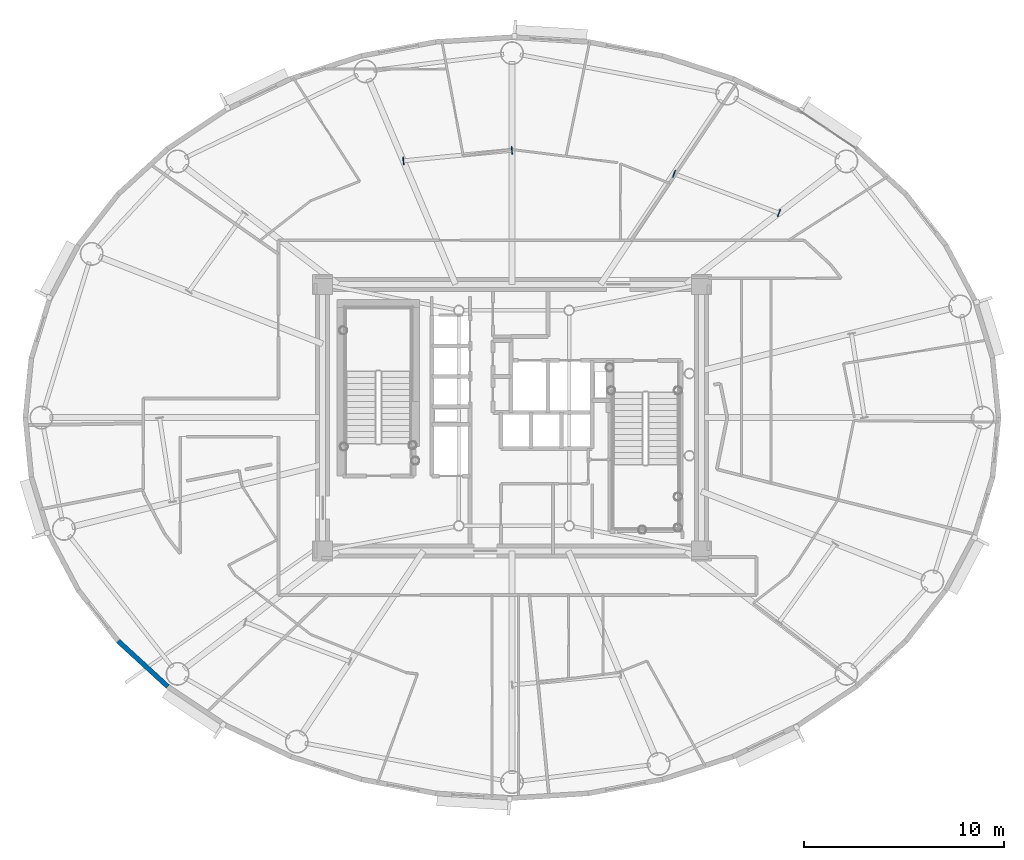
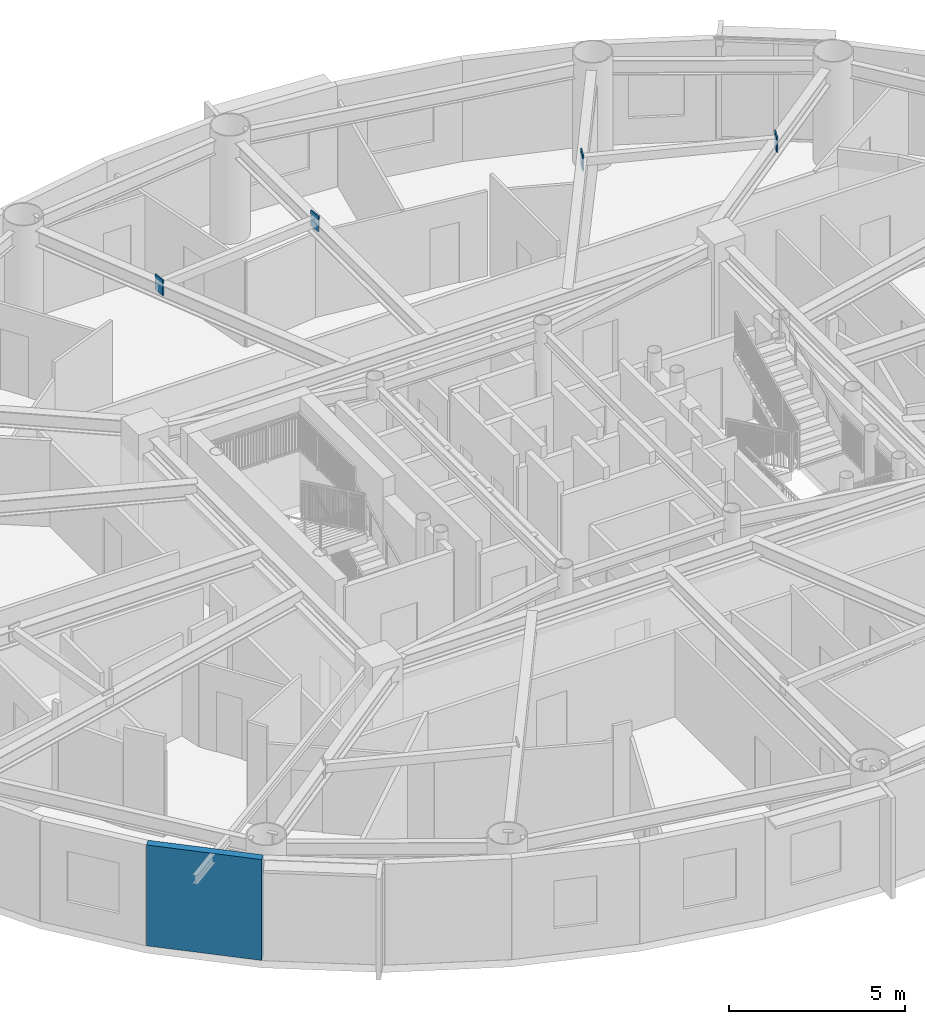
# One storey, part 8 of 21: 4 plates, 1 wall.
"""IFC4 building model written with IfcOpenShell, lengths in metres."""

from ifc_helpers import new_model, si_unit, direction, frame, frame_2d, origin, origin_2d, place, context, subcontext, project, spatial, rectangle, extrude, source, transform, mapped, material, layer, layer_set, type_object, element, save


model = new_model("IFC4")

# Units and contexts
model_context = context("Model", 3, precision=1e-05, world=origin(), true_north=direction((0.0, 1.0)))
body_context = subcontext(model_context, "Body", "Model", "MODEL_VIEW")
ifc_project = project(units=[si_unit("LENGTHUNIT", "METRE"), si_unit("AREAUNIT", "SQUARE_METRE"), si_unit("VOLUMEUNIT", "CUBIC_METRE"), si_unit("PLANEANGLEUNIT", "RADIAN"), si_unit("MASSUNIT", "GRAM", prefix="KILO")], contexts=[model_context])

# Site, building, storey
site_placement = place(None, origin())
site = spatial("IfcSite", under=ifc_project, at=site_placement, CompositionType="ELEMENT")
building_placement = place(site_placement, origin())
building = spatial("IfcBuilding", under=site, at=building_placement, Name="Linh Dai School and Residence Tower", CompositionType="ELEMENT")
storey_placement = place(building_placement, frame((0.0, 0.0, 251.550048828125)))
storey = spatial("IfcBuildingStorey", under=building, at=storey_placement, Name="L62", CompositionType="ELEMENT", Elevation=251.550048828125)

# Plates
ifc_material_1 = material(Name="Structural Steel S355JR", Category="steel")
ifc_layer_1 = layer(ifc_material_1, 0.0400390625)
ifc_layer_set_1 = layer_set([ifc_layer_1], Name="Structural Steel S355JR")
plate_type = type_object("IfcPlateType", Name="PLT-GP1", PredefinedType="USERDEFINED", material=ifc_layer_set_1)
shared_shape = source(origin(), body_context, "Body", "SweptSolid", [
    extrude(rectangle(XDim=0.0400390625, YDim=0.3798828125, at=origin_2d()), origin(), (0.0, 0.0, 1.0), 0.5400390625),
])
for number, where, z_axis, x_axis, name in (
    (1, (49.3173828125, 37.207763671875, 3.079833984375), (0.0, 0.0, 1.0), (-0.936533727109, 0.35057749213, 0.0), "L62 Secondary Beam End Plate 02A"),
    (2, (44.085693359375, 39.166015625, 3.079833984375), (0.0, 0.0, 1.0), (-0.936533727109, 0.35057749213, 0.0), "L62 Secondary Beam End Plate 02B"),
    (3, (35.9951171875, 40.3369140625, 3.079833984375), (0.0, 0.0, 1.0), (-0.995333315624, -0.096496584447, 0.0), "L62 Secondary Beam End Plate 03A"),
    (4, (30.581787109375, 39.81201171875, 3.079833984375), (0.0, 0.0, 1.0), (-0.995333315624, -0.096496584447, 0.0), "L62 Secondary Beam End Plate 03B"),
):
    element("IfcPlate", number, at=place(storey_placement, frame(where, z_axis=z_axis, x_axis=x_axis)), inside=storey, type_object=plate_type, Name=name, ObjectType="GUSSET PLATE", PredefinedType="USERDEFINED", context=body_context, shape_type="MappedRepresentation", body=[
        mapped(shared_shape, transform((0.0, 0.0, 0.0), x_axis=(1.0, 0.0, 0.0), y_axis=(0.0, 1.0, 0.0), z_axis=(0.0, 0.0, 1.0), scale=1.0)),
    ])

# Wall
ifc_material_2 = material(Name="Precast Concrete B45 (C35/45)", Category="concrete")
ifc_layer_2 = layer(ifc_material_2, 0.239990234375)
ifc_layer_set_2 = layer_set([ifc_layer_2], Name="Precast Concrete B45 (C35/45)")
wall_type = type_object("IfcWallType", Name="EW-TC-240", PredefinedType="SOLIDWALL", material=ifc_layer_set_2)
wall_placement = place(storey_placement, frame((18.82373046875, 13.589111328125, 0.0), z_axis=(0.0, 0.0, 1.0), x_axis=(-0.737123922599, 0.675757591694, 0.0)))
element("IfcWall", 5, at=wall_placement, inside=storey, type_object=wall_type, Name="L62 Terracotta Exterior Wall 25", PredefinedType="SOLIDWALL", context=body_context, shape_type="SweptSolid", body=[
    extrude(rectangle(XDim=3.353759765625, YDim=0.239990234375, at=frame_2d((1.6767578125, 0.0))), origin(), (0.0, 0.0, 1.0), 3.5),
])

save(model, "model.ifc")
